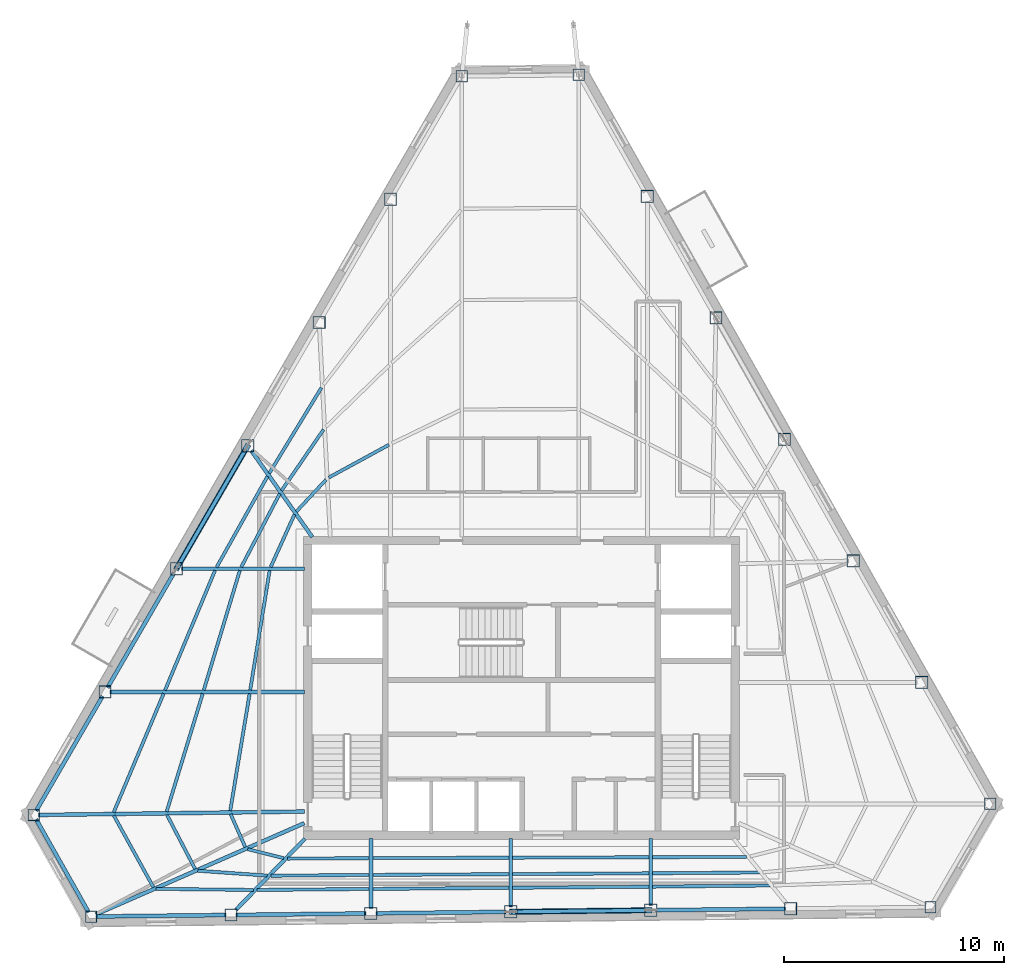
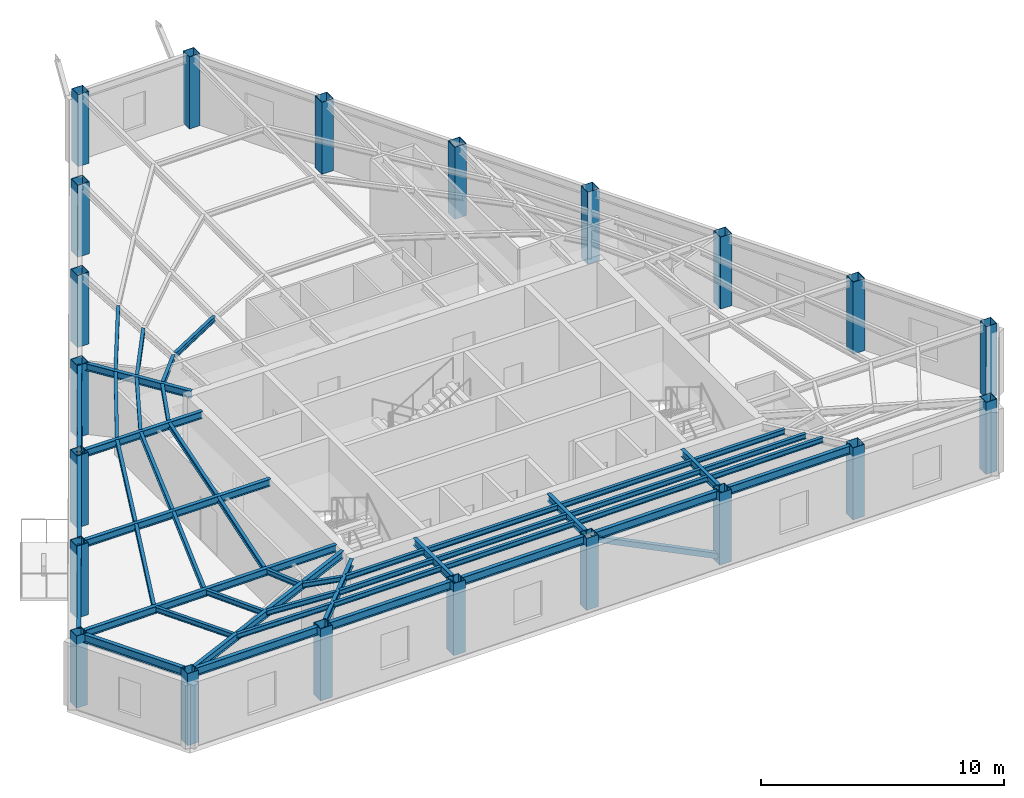
# One storey, part 1 of 10: 49 beams, 21 columns, 2 members.
"""IFC4 building model written with IfcOpenShell, lengths in metres."""

from ifc_helpers import new_model, si_unit, direction, frame, origin, origin_2d, place, context, subcontext, project, spatial, hollow_rectangle, i_section, extrude, material, material_profile, profile_set, type_object, element, save


model = new_model("IFC4")

# Units and contexts
model_context = context("Model", 3, precision=1e-05, world=origin(), true_north=direction((0.0, 1.0)))
body_context = subcontext(model_context, "Body", "Model", "MODEL_VIEW")
ifc_project = project(units=[si_unit("LENGTHUNIT", "METRE"), si_unit("AREAUNIT", "SQUARE_METRE"), si_unit("VOLUMEUNIT", "CUBIC_METRE"), si_unit("PLANEANGLEUNIT", "RADIAN"), si_unit("MASSUNIT", "GRAM", prefix="KILO")], contexts=[model_context])

# Site, building, storey
site_placement = place(None, origin())
site = spatial("IfcSite", under=ifc_project, at=site_placement, CompositionType="ELEMENT")
building_placement = place(site_placement, origin())
building = spatial("IfcBuilding", under=site, at=building_placement, Name="Kavelnor Concourse Tower", CompositionType="ELEMENT")
storey_placement = place(building_placement, frame((0.0, 0.0, 293.39990234375)))
storey = spatial("IfcBuildingStorey", under=building, at=storey_placement, Name="L74", CompositionType="ELEMENT", Elevation=293.39990234375)

# Columns
ifc_material = material(Name="Steel Grade 350", Category="steel")
ifc_material_profile_1 = material_profile(ifc_material, hollow_rectangle(XDim=0.52001953125, YDim=0.52001953125, WallThickness=0.02392578125, at=origin_2d()), Name="SHS 520x520x24")
ifc_profile_set_1 = profile_set([ifc_material_profile_1], Name="Steel Grade 350")
column_type_1 = type_object("IfcColumnType", Name="COL-FOLD-Z4", PredefinedType="COLUMN", material=ifc_profile_set_1)
for number, where, z_axis, x_axis, name in (
    (1, (35.2880859375, 43.867919921875, 0.0), (0.0, 0.0, 1.0), (1.0, 0.0, 0.0), "L74 Perimeter Corner-Fold Column F0-B0"),
    (2, (15.852294921875, 10.324951171875, 0.0), (0.0, 0.0, 1.0), (1.0, 0.0, 0.0), "L74 Perimeter Corner-Fold Column F0-B6"),
    (3, (18.4541015625, 5.71630859375, 0.0), (0.0, 0.0, 1.0), (1.0, 0.0, 0.0), "L74 Perimeter Corner-Fold Column F1-B0"),
    (4, (56.56640625, 6.143798828125, 0.0), (0.0, 0.0, 1.0), (1.0, 0.0, 0.0), "L74 Perimeter Corner-Fold Column F1-B6"),
    (5, (59.2822265625, 10.830810546875, 0.0), (0.0, 0.0, 1.0), (1.0, 0.0, 0.0), "L74 Perimeter Corner-Fold Column F2-B0"),
    (6, (40.597900390625, 43.927490234375, 0.0), (0.0, 0.0, 1.0), (1.0, 0.0, 0.0), "L74 Perimeter Corner-Fold Column F2-B6"),
):
    element("IfcColumn", number, at=place(storey_placement, frame(where, z_axis=z_axis, x_axis=x_axis)), inside=storey, type_object=column_type_1, Name=name, PredefinedType="COLUMN", context=body_context, shape_type="SweptSolid", body=[
        extrude(hollow_rectangle(XDim=0.52001953125, YDim=0.52001953125, WallThickness=0.02392578125, at=origin_2d()), origin(), (0.0, 0.0, 1.0), 3.610107421875),
    ])
ifc_material_profile_2 = material_profile(ifc_material, hollow_rectangle(XDim=0.56005859375, YDim=0.56005859375, WallThickness=0.02490234375, at=origin_2d()), Name="SHS 560x560x25")
ifc_profile_set_2 = profile_set([ifc_material_profile_2], Name="Steel Grade 350")
column_type_2 = type_object("IfcColumnType", Name="COL-TUBE-Z4", PredefinedType="COLUMN", material=ifc_profile_set_2)
for number, where, z_axis, x_axis, name in (
    (7, (32.048583984375, 38.277587890625, 0.0), (0.0, 0.0, 1.0), (1.0, 0.0, 0.0), "L74 Perimeter Framed-Tube Column F0-B1"),
    (8, (28.809326171875, 32.68701171875, 0.0), (0.0, 0.0, 1.0), (1.0, 0.0, 0.0), "L74 Perimeter Framed-Tube Column F0-B2"),
    (9, (25.570068359375, 27.096435546875, 0.0), (0.0, 0.0, 1.0), (1.0, 0.0, 0.0), "L74 Perimeter Framed-Tube Column F0-B3"),
    (10, (22.330810546875, 21.506103515625, 0.0), (0.0, 0.0, 1.0), (1.0, 0.0, 0.0), "L74 Perimeter Framed-Tube Column F0-B4"),
    (11, (19.091552734375, 15.91552734375, 0.0), (0.0, 0.0, 1.0), (1.0, 0.0, 0.0), "L74 Perimeter Framed-Tube Column F0-B5"),
    (12, (24.80615234375, 5.78759765625, 0.0), (0.0, 0.0, 1.0), (1.0, 0.0, 0.0), "L74 Perimeter Framed-Tube Column F1-B1"),
    (13, (31.158203125, 5.858642578125, 0.0), (0.0, 0.0, 1.0), (1.0, 0.0, 0.0), "L74 Perimeter Framed-Tube Column F1-B2"),
    (14, (37.51025390625, 5.929931640625, 0.0), (0.0, 0.0, 1.0), (1.0, 0.0, 0.0), "L74 Perimeter Framed-Tube Column F1-B3"),
    (15, (43.8623046875, 6.001220703125, 0.0), (0.0, 0.0, 1.0), (1.0, 0.0, 0.0), "L74 Perimeter Framed-Tube Column F1-B4"),
    (16, (50.21435546875, 6.072509765625, 0.0), (0.0, 0.0, 1.0), (1.0, 0.0, 0.0), "L74 Perimeter Framed-Tube Column F1-B5"),
    (17, (56.168212890625, 16.346923828125, 0.0), (0.0, 0.0, 1.0), (1.0, 0.0, 0.0), "L74 Perimeter Framed-Tube Column F2-B1"),
    (18, (53.05419921875, 21.863037109375, 0.0), (0.0, 0.0, 1.0), (1.0, 0.0, 0.0), "L74 Perimeter Framed-Tube Column F2-B2"),
    (19, (49.940185546875, 27.379150390625, 0.0), (0.0, 0.0, 1.0), (1.0, 0.0, 0.0), "L74 Perimeter Framed-Tube Column F2-B3"),
    (20, (46.826171875, 32.895263671875, 0.0), (0.0, 0.0, 1.0), (1.0, 0.0, 0.0), "L74 Perimeter Framed-Tube Column F2-B4"),
    (21, (43.7119140625, 38.411376953125, 0.0), (0.0, 0.0, 1.0), (1.0, 0.0, 0.0), "L74 Perimeter Framed-Tube Column F2-B5"),
):
    element("IfcColumn", number, at=place(storey_placement, frame(where, z_axis=z_axis, x_axis=x_axis)), inside=storey, type_object=column_type_2, Name=name, PredefinedType="COLUMN", context=body_context, shape_type="SweptSolid", body=[
        extrude(hollow_rectangle(XDim=0.56005859375, YDim=0.56005859375, WallThickness=0.02490234375, at=origin_2d()), origin(), (0.0, 0.0, 1.0), 3.610107421875),
    ])

# Beams
ifc_material_profile_3 = material_profile(ifc_material, i_section(OverallWidth=0.14599609375, OverallDepth=0.256103515625, WebThickness=0.00634765625, FlangeThickness=0.010986328125, at=origin_2d()), Name="250UB37")
ifc_profile_set_3 = profile_set([ifc_material_profile_3], Name="Steel Grade 350")
beam_type_1 = type_object("IfcBeamType", Name="BM-JOIST-250", PredefinedType="JOIST", material=ifc_profile_set_3)
beam_1_placement = place(storey_placement, frame((25.654541015625, 15.834716796875, 3.482177734375), z_axis=(-0.163413901202, -0.98655759938, 0.0), x_axis=(0.98655759938, -0.163413901202, 0.0)))
element("IfcBeam", 22, at=beam_1_placement, inside=storey, type_object=beam_type_1, Name="L74 Secondary Composite Joist 01-1", PredefinedType="JOIST", context=body_context, shape_type="SweptSolid", body=[
    extrude(i_section(OverallWidth=0.14599609375, OverallDepth=0.256103515625, WebThickness=0.00634765625, FlangeThickness=0.010986328125, at=origin_2d()), origin(), (0.0, 0.0, 1.0), 5.385986328125),
])
beam_2_placement = place(storey_placement, frame((23.525390625, 15.837158203125, 3.482177734375), z_axis=(-0.292207460299, -0.956354955101, 0.0), x_axis=(0.956354955101, -0.292207460299, 0.0)))
element("IfcBeam", 23, at=beam_2_placement, inside=storey, type_object=beam_type_1, Name="L74 Secondary Composite Joist 01-2", PredefinedType="JOIST", context=body_context, shape_type="SweptSolid", body=[
    extrude(i_section(OverallWidth=0.14599609375, OverallDepth=0.256103515625, WebThickness=0.00634765625, FlangeThickness=0.010986328125, at=origin_2d()), origin(), (0.0, 0.0, 1.0), 5.600341796875),
])
beam_3_placement = place(storey_placement, frame((21.751708984375, 15.83984375, 3.482177734375), z_axis=(-0.387751027396, -0.921764145947, 0.0), x_axis=(0.921764145947, -0.387751027396, 0.0)))
element("IfcBeam", 24, at=beam_3_placement, inside=storey, type_object=beam_type_1, Name="L74 Secondary Composite Joist 01-3", PredefinedType="JOIST", context=body_context, shape_type="SweptSolid", body=[
    extrude(i_section(OverallWidth=0.14599609375, OverallDepth=0.256103515625, WebThickness=0.00634765625, FlangeThickness=0.010986328125, at=origin_2d()), origin(), (0.0, 0.0, 1.0), 5.8505859375),
])
beam_4_placement = place(storey_placement, frame((24.794189453125, 10.365234375, 3.482177734375), z_axis=(0.404335372024, -0.914610795328, 0.0), x_axis=(0.914610795328, 0.404335372024, 0.0)))
element("IfcBeam", 25, at=beam_4_placement, inside=storey, type_object=beam_type_1, Name="L74 Secondary Composite Joist 02-1", PredefinedType="JOIST", context=body_context, shape_type="SweptSolid", body=[
    extrude(i_section(OverallWidth=0.14599609375, OverallDepth=0.256103515625, WebThickness=0.00634765625, FlangeThickness=0.010986328125, at=origin_2d()), origin(), (0.0, 0.0, 1.0), 1.6337890625),
])
beam_5_placement = place(storey_placement, frame((21.902587890625, 10.330078125, 3.482177734375), z_axis=(0.461516595623, -0.88713157534, 0.0), x_axis=(0.88713157534, 0.461516595623, 0.0)))
element("IfcBeam", 26, at=beam_5_placement, inside=storey, type_object=beam_type_1, Name="L74 Secondary Composite Joist 02-2", PredefinedType="JOIST", context=body_context, shape_type="SweptSolid", body=[
    extrude(i_section(OverallWidth=0.14599609375, OverallDepth=0.256103515625, WebThickness=0.00634765625, FlangeThickness=0.010986328125, at=origin_2d()), origin(), (0.0, 0.0, 1.0), 2.767822265625),
])
beam_6_placement = place(storey_placement, frame((19.490966796875, 10.2998046875, 3.482177734375), z_axis=(0.48305303241, -0.875591096277, 0.0), x_axis=(0.875591096277, 0.48305303241, 0.0)))
element("IfcBeam", 27, at=beam_6_placement, inside=storey, type_object=beam_type_1, Name="L74 Secondary Composite Joist 02-3", PredefinedType="JOIST", context=body_context, shape_type="SweptSolid", body=[
    extrude(i_section(OverallWidth=0.14599609375, OverallDepth=0.256103515625, WebThickness=0.00634765625, FlangeThickness=0.010986328125, at=origin_2d()), origin(), (0.0, 0.0, 1.0), 3.716796875),
])
beam_7_placement = place(storey_placement, frame((25.567626953125, 8.77587890625, 3.482177734375), z_axis=(0.96993838918, -0.243350613714, 0.0), x_axis=(0.243350613714, 0.96993838918, 0.0)))
element("IfcBeam", 28, at=beam_7_placement, inside=storey, type_object=beam_type_1, Name="L74 Secondary Composite Joist 03-1", PredefinedType="JOIST", context=body_context, shape_type="SweptSolid", body=[
    extrude(i_section(OverallWidth=0.14599609375, OverallDepth=0.256103515625, WebThickness=0.00634765625, FlangeThickness=0.010986328125, at=origin_2d()), origin(), (0.0, 0.0, 1.0), 1.69140625),
])
beam_8_placement = place(storey_placement, frame((23.2998046875, 7.796142578125, 3.482177734375), z_axis=(0.997549598443, -0.069962837606, 0.0), x_axis=(0.069962837606, 0.997549598443, 0.0)))
element("IfcBeam", 29, at=beam_8_placement, inside=storey, type_object=beam_type_1, Name="L74 Secondary Composite Joist 03-2", PredefinedType="JOIST", context=body_context, shape_type="SweptSolid", body=[
    extrude(i_section(OverallWidth=0.14599609375, OverallDepth=0.256103515625, WebThickness=0.00634765625, FlangeThickness=0.010986328125, at=origin_2d()), origin(), (0.0, 0.0, 1.0), 3.16162109375),
])
beam_9_placement = place(storey_placement, frame((21.407958984375, 6.97265625, 3.482177734375), z_axis=(0.99993955288, -0.010995025474, 0.0), x_axis=(0.010995025474, 0.99993955288, 0.0)))
element("IfcBeam", 30, at=beam_9_placement, inside=storey, type_object=beam_type_1, Name="L74 Secondary Composite Joist 03-3", PredefinedType="JOIST", context=body_context, shape_type="SweptSolid", body=[
    extrude(i_section(OverallWidth=0.14599609375, OverallDepth=0.256103515625, WebThickness=0.00634765625, FlangeThickness=0.010986328125, at=origin_2d()), origin(), (0.0, 0.0, 1.0), 4.418701171875),
])
beam_10_placement = place(storey_placement, frame((27.369873046875, 8.344970703125, 3.482177734375), z_axis=(0.999979587349, 0.006389435477, 0.0), x_axis=(-0.006389435477, 0.999979587349, 0.0)))
element("IfcBeam", 31, at=beam_10_placement, inside=storey, type_object=beam_type_1, Name="L74 Secondary Composite Joist 04-1", PredefinedType="JOIST", context=body_context, shape_type="SweptSolid", body=[
    extrude(i_section(OverallWidth=0.14599609375, OverallDepth=0.256103515625, WebThickness=0.00634765625, FlangeThickness=0.010986328125, at=origin_2d()), origin(), (0.0, 0.0, 1.0), 3.706298828125),
])
beam_11_placement = place(storey_placement, frame((26.617431640625, 7.56982421875, 3.482177734375), z_axis=(0.999968916458, 0.007884549306, 0.0), x_axis=(-0.007884549306, 0.999968916458, 0.0)))
element("IfcBeam", 32, at=beam_11_placement, inside=storey, type_object=beam_type_1, Name="L74 Secondary Composite Joist 04-2", PredefinedType="JOIST", context=body_context, shape_type="SweptSolid", body=[
    extrude(i_section(OverallWidth=0.14599609375, OverallDepth=0.256103515625, WebThickness=0.00634765625, FlangeThickness=0.010986328125, at=origin_2d()), origin(), (0.0, 0.0, 1.0), 4.458984375),
])
beam_12_placement = place(storey_placement, frame((25.990478515625, 6.923828125, 3.482177734375), z_axis=(0.999960991433, 0.008832644733, 0.0), x_axis=(-0.008832644733, 0.999960991433, 0.0)))
element("IfcBeam", 33, at=beam_12_placement, inside=storey, type_object=beam_type_1, Name="L74 Secondary Composite Joist 04-3", PredefinedType="JOIST", context=body_context, shape_type="SweptSolid", body=[
    extrude(i_section(OverallWidth=0.14599609375, OverallDepth=0.256103515625, WebThickness=0.00634765625, FlangeThickness=0.010986328125, at=origin_2d()), origin(), (0.0, 0.0, 1.0), 5.0859375),
])
for number, where, z_axis, x_axis, name in (
    (34, (31.240234375, 8.369384765625, 3.482177734375), (0.99999501887, 0.003156300857, 0.0), (-0.003156300857, 0.99999501887, 0.0), "L74 Secondary Composite Joist 05-1"),
    (35, (31.240234375, 7.606201171875, 3.482177734375), (0.999982952391, 0.005839086126, 0.0), (-0.005839086126, 0.999982952391, 0.0), "L74 Secondary Composite Joist 05-2"),
):
    element("IfcBeam", number, at=place(storey_placement, frame(where, z_axis=z_axis, x_axis=x_axis)), inside=storey, type_object=beam_type_1, Name=name, PredefinedType="JOIST", context=body_context, shape_type="SweptSolid", body=[
        extrude(i_section(OverallWidth=0.14599609375, OverallDepth=0.256103515625, WebThickness=0.00634765625, FlangeThickness=0.010986328125, at=origin_2d()), origin(), (0.0, 0.0, 1.0), 6.18798828125),
    ])
for number, where, z_axis, x_axis, name in (
    (36, (31.240234375, 6.97021484375, 3.482177734375), (0.999967611534, 0.008048346593, 0.0), (-0.008048346593, 0.999967611534, 0.0), "L74 Secondary Composite Joist 05-3"),
    (37, (37.59228515625, 8.389404296875, 3.482177734375), (0.999995019263, 0.003156176334, 0.0), (-0.003156176334, 0.999995019263, 0.0), "L74 Secondary Composite Joist 06-1"),
    (38, (37.59228515625, 7.643310546875, 3.482177734375), (0.999982953736, 0.005838855768, 0.0), (-0.005838855768, 0.999982953736, 0.0), "L74 Secondary Composite Joist 06-2"),
):
    element("IfcBeam", number, at=place(storey_placement, frame(where, z_axis=z_axis, x_axis=x_axis)), inside=storey, type_object=beam_type_1, Name=name, PredefinedType="JOIST", context=body_context, shape_type="SweptSolid", body=[
        extrude(i_section(OverallWidth=0.14599609375, OverallDepth=0.256103515625, WebThickness=0.00634765625, FlangeThickness=0.010986328125, at=origin_2d()), origin(), (0.0, 0.0, 1.0), 6.188232421875),
    ])
beam_13_placement = place(storey_placement, frame((37.59228515625, 7.021484375, 3.482177734375), z_axis=(0.999967295818, 0.008087477636, 0.0), x_axis=(-0.008087477636, 0.999967295818, 0.0)))
element("IfcBeam", 39, at=beam_13_placement, inside=storey, type_object=beam_type_1, Name="L74 Secondary Composite Joist 06-3", PredefinedType="JOIST", context=body_context, shape_type="SweptSolid", body=[
    extrude(i_section(OverallWidth=0.14599609375, OverallDepth=0.256103515625, WebThickness=0.00634765625, FlangeThickness=0.010986328125, at=origin_2d()), origin(), (0.0, 0.0, 1.0), 6.1884765625),
])
beam_14_placement = place(storey_placement, frame((43.9443359375, 8.409423828125, 3.482177734375), z_axis=(0.999993537062, 0.003595251546, 0.0), x_axis=(-0.003595251546, 0.999993537062, 0.0)))
element("IfcBeam", 40, at=beam_14_placement, inside=storey, type_object=beam_type_1, Name="L74 Secondary Composite Joist 07-1", PredefinedType="JOIST", context=body_context, shape_type="SweptSolid", body=[
    extrude(i_section(OverallWidth=0.14599609375, OverallDepth=0.256103515625, WebThickness=0.00634765625, FlangeThickness=0.010986328125, at=origin_2d()), origin(), (0.0, 0.0, 1.0), 4.278076171875),
])
beam_15_placement = place(storey_placement, frame((43.9443359375, 7.680419921875, 3.482177734375), z_axis=(0.999972281246, 0.00744558523, 0.0), x_axis=(-0.00744558523, 0.999972281246, 0.0)))
element("IfcBeam", 41, at=beam_15_placement, inside=storey, type_object=beam_type_1, Name="L74 Secondary Composite Joist 07-2", PredefinedType="JOIST", context=body_context, shape_type="SweptSolid", body=[
    extrude(i_section(OverallWidth=0.14599609375, OverallDepth=0.256103515625, WebThickness=0.00634765625, FlangeThickness=0.010986328125, at=origin_2d()), origin(), (0.0, 0.0, 1.0), 4.85302734375),
])
beam_16_placement = place(storey_placement, frame((43.9443359375, 7.072998046875, 3.482177734375), z_axis=(0.999949719481, 0.010027886646, 0.0), x_axis=(-0.010027886646, 0.999949719481, 0.0)))
element("IfcBeam", 42, at=beam_16_placement, inside=storey, type_object=beam_type_1, Name="L74 Secondary Composite Joist 07-3", PredefinedType="JOIST", context=body_context, shape_type="SweptSolid", body=[
    extrude(i_section(OverallWidth=0.14599609375, OverallDepth=0.256103515625, WebThickness=0.00634765625, FlangeThickness=0.010986328125, at=origin_2d()), origin(), (0.0, 0.0, 1.0), 5.331787109375),
])
beam_17_placement = place(storey_placement, frame((31.976806640625, 27.1337890625, 3.482177734375), z_axis=(-0.878006666491, -0.478648402899, 0.0), x_axis=(0.478648402899, -0.878006666491, 0.0)))
element("IfcBeam", 43, at=beam_17_placement, inside=storey, type_object=beam_type_1, Name="L74 Secondary Composite Joist 18-1", PredefinedType="JOIST", context=body_context, shape_type="SweptSolid", body=[
    extrude(i_section(OverallWidth=0.14599609375, OverallDepth=0.256103515625, WebThickness=0.00634765625, FlangeThickness=0.010986328125, at=origin_2d()), origin(), (0.0, 0.0, 1.0), 3.106689453125),
])
beam_18_placement = place(storey_placement, frame((29.12109375, 25.547607421875, 3.482177734375), z_axis=(-0.680978738314, -0.732303187187, 0.0), x_axis=(0.732303187187, -0.680978738314, 0.0)))
element("IfcBeam", 44, at=beam_18_placement, inside=storey, type_object=beam_type_1, Name="L74 Secondary Composite Joist 19-1", PredefinedType="JOIST", context=body_context, shape_type="SweptSolid", body=[
    extrude(i_section(OverallWidth=0.14599609375, OverallDepth=0.256103515625, WebThickness=0.00634765625, FlangeThickness=0.010986328125, at=origin_2d()), origin(), (0.0, 0.0, 1.0), 1.96923828125),
])
beam_19_placement = place(storey_placement, frame((29.011962890625, 27.826416015625, 3.482177734375), z_axis=(-0.566501102558, -0.824060981239, 0.0), x_axis=(0.824060981239, -0.566501102558, 0.0)))
element("IfcBeam", 45, at=beam_19_placement, inside=storey, type_object=beam_type_1, Name="L74 Secondary Composite Joist 19-2", PredefinedType="JOIST", context=body_context, shape_type="SweptSolid", body=[
    extrude(i_section(OverallWidth=0.14599609375, OverallDepth=0.256103515625, WebThickness=0.00634765625, FlangeThickness=0.010986328125, at=origin_2d()), origin(), (0.0, 0.0, 1.0), 3.364013671875),
])
beam_20_placement = place(storey_placement, frame((28.916748046875, 29.7294921875, 3.482177734375), z_axis=(-0.520154475588, -0.854072199246, 0.0), x_axis=(0.854072199246, -0.520154475588, 0.0)))
element("IfcBeam", 46, at=beam_20_placement, inside=storey, type_object=beam_type_1, Name="L74 Secondary Composite Joist 19-3", PredefinedType="JOIST", context=body_context, shape_type="SweptSolid", body=[
    extrude(i_section(OverallWidth=0.14599609375, OverallDepth=0.256103515625, WebThickness=0.00634765625, FlangeThickness=0.010986328125, at=origin_2d()), origin(), (0.0, 0.0, 1.0), 4.552734375),
])
beam_21_placement = place(storey_placement, frame((27.690185546875, 23.970703125, 3.482177734375), z_axis=(-0.412217537041, -0.911085452719, 0.0), x_axis=(0.911085452719, -0.412217537041, 0.0)))
element("IfcBeam", 47, at=beam_21_placement, inside=storey, type_object=beam_type_1, Name="L74 Secondary Composite Joist 20-1", PredefinedType="JOIST", context=body_context, shape_type="SweptSolid", body=[
    extrude(i_section(OverallWidth=0.14599609375, OverallDepth=0.256103515625, WebThickness=0.00634765625, FlangeThickness=0.010986328125, at=origin_2d()), origin(), (0.0, 0.0, 1.0), 2.623046875),
])
beam_22_placement = place(storey_placement, frame((27.021484375, 24.9140625, 3.482177734375), z_axis=(-0.464551863947, -0.885545913944, 0.0), x_axis=(0.885545913944, -0.464551863947, 0.0)))
element("IfcBeam", 48, at=beam_22_placement, inside=storey, type_object=beam_type_1, Name="L74 Secondary Composite Joist 20-2", PredefinedType="JOIST", context=body_context, shape_type="SweptSolid", body=[
    extrude(i_section(OverallWidth=0.14599609375, OverallDepth=0.256103515625, WebThickness=0.00634765625, FlangeThickness=0.010986328125, at=origin_2d()), origin(), (0.0, 0.0, 1.0), 3.7666015625),
])
beam_23_placement = place(storey_placement, frame((26.4658203125, 25.699462890625, 3.482177734375), z_axis=(-0.488837780029, -0.872374704365, 0.0), x_axis=(0.872374704365, -0.488837780029, 0.0)))
element("IfcBeam", 49, at=beam_23_placement, inside=storey, type_object=beam_type_1, Name="L74 Secondary Composite Joist 20-3", PredefinedType="JOIST", context=body_context, shape_type="SweptSolid", body=[
    extrude(i_section(OverallWidth=0.14599609375, OverallDepth=0.256103515625, WebThickness=0.00634765625, FlangeThickness=0.010986328125, at=origin_2d()), origin(), (0.0, 0.0, 1.0), 4.72509765625),
])
beam_24_placement = place(storey_placement, frame((26.56201171875, 21.425048828125, 3.482177734375), z_axis=(-0.160164680228, -0.987090307524, 0.0), x_axis=(0.987090307524, -0.160164680228, 0.0)))
element("IfcBeam", 50, at=beam_24_placement, inside=storey, type_object=beam_type_1, Name="L74 Secondary Composite Joist 21-1", PredefinedType="JOIST", context=body_context, shape_type="SweptSolid", body=[
    extrude(i_section(OverallWidth=0.14599609375, OverallDepth=0.256103515625, WebThickness=0.00634765625, FlangeThickness=0.010986328125, at=origin_2d()), origin(), (0.0, 0.0, 1.0), 5.499755859375),
])
beam_25_placement = place(storey_placement, frame((25.2099609375, 21.427490234375, 3.482177734375), z_axis=(-0.28846073093, -0.957491726707, 0.0), x_axis=(0.957491726707, -0.28846073093, 0.0)))
element("IfcBeam", 51, at=beam_25_placement, inside=storey, type_object=beam_type_1, Name="L74 Secondary Composite Joist 21-2", PredefinedType="JOIST", context=body_context, shape_type="SweptSolid", body=[
    extrude(i_section(OverallWidth=0.14599609375, OverallDepth=0.256103515625, WebThickness=0.00634765625, FlangeThickness=0.010986328125, at=origin_2d()), origin(), (0.0, 0.0, 1.0), 5.6748046875),
])
beam_26_placement = place(storey_placement, frame((24.084228515625, 21.430419921875, 3.482177734375), z_axis=(-0.385006561603, -0.922913835373, 0.0), x_axis=(0.922913835373, -0.385006561603, 0.0)))
element("IfcBeam", 52, at=beam_26_placement, inside=storey, type_object=beam_type_1, Name="L74 Secondary Composite Joist 21-3", PredefinedType="JOIST", context=body_context, shape_type="SweptSolid", body=[
    extrude(i_section(OverallWidth=0.14599609375, OverallDepth=0.256103515625, WebThickness=0.00634765625, FlangeThickness=0.010986328125, at=origin_2d()), origin(), (0.0, 0.0, 1.0), 5.8935546875),
])
ifc_material_profile_4 = material_profile(ifc_material, i_section(OverallWidth=0.172119140625, OverallDepth=0.35888671875, WebThickness=0.008056640625, FlangeThickness=0.012939453125, at=origin_2d()), Name="360UB56")
ifc_profile_set_4 = profile_set([ifc_material_profile_4], Name="Steel Grade 350")
beam_type_2 = type_object("IfcBeamType", Name="BM-PRIMARY-360", PredefinedType="BEAM", material=ifc_profile_set_4)
beam_27_placement = place(storey_placement, frame((28.49951171875, 22.947265625, 3.4306640625), z_axis=(-0.576741097485, 0.816926989683, 0.0), x_axis=(-0.816926989683, -0.576741097485, 0.0)))
element("IfcBeam", 53, at=beam_27_placement, inside=storey, type_object=beam_type_2, Name="L74 Primary Floor Girder F0-B3", PredefinedType="BEAM", context=body_context, shape_type="SweptSolid", body=[
    extrude(i_section(OverallWidth=0.172119140625, OverallDepth=0.35888671875, WebThickness=0.008056640625, FlangeThickness=0.012939453125, at=origin_2d()), origin(), (0.0, 0.0, 1.0), 4.80078125),
])
beam_28_placement = place(storey_placement, frame((28.139892578125, 21.506103515625, 3.4306640625), z_axis=(-1.0, 0.0, 0.0), x_axis=(0.0, -1.0, 0.0)))
element("IfcBeam", 54, at=beam_28_placement, inside=storey, type_object=beam_type_2, Name="L74 Primary Floor Girder F0-B4", PredefinedType="BEAM", context=body_context, shape_type="SweptSolid", body=[
    extrude(i_section(OverallWidth=0.172119140625, OverallDepth=0.35888671875, WebThickness=0.008056640625, FlangeThickness=0.012939453125, at=origin_2d()), origin(), (0.0, 0.0, 1.0), 5.589111328125),
])
beam_29_placement = place(storey_placement, frame((28.139892578125, 15.91552734375, 3.4306640625), z_axis=(-1.0, 0.0, 0.0), x_axis=(0.0, -1.0, 0.0)))
element("IfcBeam", 55, at=beam_29_placement, inside=storey, type_object=beam_type_2, Name="L74 Primary Floor Girder F0-B5", PredefinedType="BEAM", context=body_context, shape_type="SweptSolid", body=[
    extrude(i_section(OverallWidth=0.172119140625, OverallDepth=0.35888671875, WebThickness=0.008056640625, FlangeThickness=0.012939453125, at=origin_2d()), origin(), (0.0, 0.0, 1.0), 8.828369140625),
])
beam_30_placement = place(storey_placement, frame((28.139892578125, 10.48388671875, 3.4306640625), z_axis=(-0.999916448617, -0.012926553454, 0.0), x_axis=(0.012926553454, -0.999916448617, 0.0)))
element("IfcBeam", 56, at=beam_30_placement, inside=storey, type_object=beam_type_2, Name="L74 Primary Floor Girder F0-B6", PredefinedType="BEAM", context=body_context, shape_type="SweptSolid", body=[
    extrude(i_section(OverallWidth=0.172119140625, OverallDepth=0.35888671875, WebThickness=0.008056640625, FlangeThickness=0.012939453125, at=origin_2d()), origin(), (0.0, 0.0, 1.0), 12.068603515625),
])
beam_31_placement = place(storey_placement, frame((28.13671875, 9.95556640625, 3.4306640625), z_axis=(-0.916043889861, -0.401078037104, 0.0), x_axis=(0.401078037104, -0.916043889861, 0.0)))
element("IfcBeam", 57, at=beam_31_placement, inside=storey, type_object=beam_type_2, Name="L74 Primary Floor Girder F1-B0", PredefinedType="BEAM", context=body_context, shape_type="SweptSolid", body=[
    extrude(i_section(OverallWidth=0.172119140625, OverallDepth=0.35888671875, WebThickness=0.008056640625, FlangeThickness=0.012939453125, at=origin_2d()), origin(), (0.0, 0.0, 1.0), 10.326171875),
])
beam_32_placement = place(storey_placement, frame((28.16552734375, 9.248779296875, 3.4306640625), z_axis=(-0.696450732871, -0.717604610272, 0.0), x_axis=(0.717604610272, -0.696450732871, 0.0)))
element("IfcBeam", 58, at=beam_32_placement, inside=storey, type_object=beam_type_2, Name="L74 Primary Floor Girder F1-B1", PredefinedType="BEAM", context=body_context, shape_type="SweptSolid", body=[
    extrude(i_section(OverallWidth=0.172119140625, OverallDepth=0.35888671875, WebThickness=0.008056640625, FlangeThickness=0.012939453125, at=origin_2d()), origin(), (0.0, 0.0, 1.0), 4.5009765625),
])
beam_33_placement = place(storey_placement, frame((31.158203125, 9.260009765625, 3.4306640625), z_axis=(0.0, -1.0, 0.0), x_axis=(1.0, 0.0, 0.0)))
element("IfcBeam", 59, at=beam_33_placement, inside=storey, type_object=beam_type_2, Name="L74 Primary Floor Girder F1-B2", PredefinedType="BEAM", context=body_context, shape_type="SweptSolid", body=[
    extrude(i_section(OverallWidth=0.172119140625, OverallDepth=0.35888671875, WebThickness=0.008056640625, FlangeThickness=0.012939453125, at=origin_2d()), origin(), (0.0, 0.0, 1.0), 3.181396484375),
])
beam_34_placement = place(storey_placement, frame((37.51025390625, 9.260009765625, 3.4306640625), z_axis=(0.0, -1.0, 0.0), x_axis=(1.0, 0.0, 0.0)))
element("IfcBeam", 60, at=beam_34_placement, inside=storey, type_object=beam_type_2, Name="L74 Primary Floor Girder F1-B3", PredefinedType="BEAM", context=body_context, shape_type="SweptSolid", body=[
    extrude(i_section(OverallWidth=0.172119140625, OverallDepth=0.35888671875, WebThickness=0.008056640625, FlangeThickness=0.012939453125, at=origin_2d()), origin(), (0.0, 0.0, 1.0), 3.110107421875),
])
beam_35_placement = place(storey_placement, frame((43.8623046875, 9.260009765625, 3.4306640625), z_axis=(0.0, -1.0, 0.0), x_axis=(1.0, 0.0, 0.0)))
element("IfcBeam", 61, at=beam_35_placement, inside=storey, type_object=beam_type_2, Name="L74 Primary Floor Girder F1-B4", PredefinedType="BEAM", context=body_context, shape_type="SweptSolid", body=[
    extrude(i_section(OverallWidth=0.172119140625, OverallDepth=0.35888671875, WebThickness=0.008056640625, FlangeThickness=0.012939453125, at=origin_2d()), origin(), (0.0, 0.0, 1.0), 3.038818359375),
])
ifc_material_profile_5 = material_profile(ifc_material, i_section(OverallWidth=0.177978515625, OverallDepth=0.406005859375, WebThickness=0.0078125, FlangeThickness=0.0126953125, at=origin_2d()), Name="410UB59")
ifc_profile_set_5 = profile_set([ifc_material_profile_5], Name="Steel Grade 350")
beam_type_3 = type_object("IfcBeamType", Name="BM-SPANDREL-Z4", PredefinedType="SPANDREL", material=ifc_profile_set_5)
for number, where, z_axis, x_axis, name in (
    (62, (25.457275390625, 26.90185546875, 3.406982421875), (-0.501343627268, -0.865248269225, 0.0), (0.865248269225, -0.501343627268, 0.0), "L74 Perimeter Tube Spandrel Beam F0-B3"),
    (63, (22.218017578125, 21.311279296875, 3.406982421875), (-0.501343627268, -0.865248269225, 0.0), (0.865248269225, -0.501343627268, 0.0), "L74 Perimeter Tube Spandrel Beam F0-B4"),
):
    element("IfcBeam", number, at=place(storey_placement, frame(where, z_axis=z_axis, x_axis=x_axis)), inside=storey, type_object=beam_type_3, Name=name, PredefinedType="SPANDREL", context=body_context, shape_type="SweptSolid", body=[
        extrude(i_section(OverallWidth=0.177978515625, OverallDepth=0.406005859375, WebThickness=0.0078125, FlangeThickness=0.0126953125, at=origin_2d()), origin(), (0.0, 0.0, 1.0), 6.01123046875),
    ])
beam_36_placement = place(storey_placement, frame((18.978759765625, 15.720703125, 3.406982421875), z_axis=(-0.501361245752, -0.865238060454, 0.0), x_axis=(0.865238060454, -0.501361245752, 0.0)))
element("IfcBeam", 64, at=beam_36_placement, inside=storey, type_object=beam_type_3, Name="L74 Perimeter Tube Spandrel Beam F0-B5", PredefinedType="SPANDREL", context=body_context, shape_type="SweptSolid", body=[
    extrude(i_section(OverallWidth=0.177978515625, OverallDepth=0.406005859375, WebThickness=0.0078125, FlangeThickness=0.0126953125, at=origin_2d()), origin(), (0.0, 0.0, 1.0), 6.010986328125),
])
beam_37_placement = place(storey_placement, frame((18.67919921875, 5.71875, 3.406982421875), z_axis=(0.999937174683, 0.011209223344, 0.0), x_axis=(-0.011209223344, 0.999937174683, 0.0)))
element("IfcBeam", 65, at=beam_37_placement, inside=storey, type_object=beam_type_3, Name="L74 Perimeter Tube Spandrel Beam F1-B0", PredefinedType="SPANDREL", context=body_context, shape_type="SweptSolid", body=[
    extrude(i_section(OverallWidth=0.177978515625, OverallDepth=0.406005859375, WebThickness=0.0078125, FlangeThickness=0.0126953125, at=origin_2d()), origin(), (0.0, 0.0, 1.0), 5.902587890625),
])
beam_38_placement = place(storey_placement, frame((25.03125, 5.7900390625, 3.406982421875), z_axis=(0.999937169485, 0.011209686975, 0.0), x_axis=(-0.011209686975, 0.999937169485, 0.0)))
element("IfcBeam", 66, at=beam_38_placement, inside=storey, type_object=beam_type_3, Name="L74 Perimeter Tube Spandrel Beam F1-B1", PredefinedType="SPANDREL", context=body_context, shape_type="SweptSolid", body=[
    extrude(i_section(OverallWidth=0.177978515625, OverallDepth=0.406005859375, WebThickness=0.0078125, FlangeThickness=0.0126953125, at=origin_2d()), origin(), (0.0, 0.0, 1.0), 5.90234375),
])
for number, where, z_axis, x_axis, name in (
    (67, (31.38330078125, 5.861083984375, 3.406982421875), (0.999936710216, 0.011250580566, 0.0), (-0.011250580566, 0.999936710216, 0.0), "L74 Perimeter Tube Spandrel Beam F1-B2"),
    (68, (37.7353515625, 5.9326171875, 3.406982421875), (0.999937174683, 0.011209223344, 0.0), (-0.011209223344, 0.999937174683, 0.0), "L74 Perimeter Tube Spandrel Beam F1-B3"),
    (69, (44.08740234375, 6.00390625, 3.406982421875), (0.999937174683, 0.011209223344, 0.0), (-0.011209223344, 0.999937174683, 0.0), "L74 Perimeter Tube Spandrel Beam F1-B4"),
):
    element("IfcBeam", number, at=place(storey_placement, frame(where, z_axis=z_axis, x_axis=x_axis)), inside=storey, type_object=beam_type_3, Name=name, PredefinedType="SPANDREL", context=body_context, shape_type="SweptSolid", body=[
        extrude(i_section(OverallWidth=0.177978515625, OverallDepth=0.406005859375, WebThickness=0.0078125, FlangeThickness=0.0126953125, at=origin_2d()), origin(), (0.0, 0.0, 1.0), 5.902587890625),
    ])
beam_39_placement = place(storey_placement, frame((15.962890625, 10.129150390625, 3.406982421875), z_axis=(0.491598684505, -0.870821872367, 0.0), x_axis=(0.870821872367, 0.491598684505, 0.0)))
element("IfcBeam", 70, at=beam_39_placement, inside=storey, type_object=beam_type_3, Name="L74 Chamfer Facet Spandrel Beam C1", PredefinedType="SPANDREL", context=body_context, shape_type="SweptSolid", body=[
    extrude(i_section(OverallWidth=0.177978515625, OverallDepth=0.406005859375, WebThickness=0.0078125, FlangeThickness=0.0126953125, at=origin_2d()), origin(), (0.0, 0.0, 1.0), 4.842529296875),
])

# Members
ifc_material_profile_6 = material_profile(ifc_material, hollow_rectangle(XDim=0.25, YDim=0.25, WallThickness=0.01611328125, at=origin_2d()), Name="SHS 250x250x16")
ifc_profile_set_6 = profile_set([ifc_material_profile_6], Name="Steel Grade 350")
member_type = type_object("IfcMemberType", Name="MBR-TUBE-DIAG-Z4", PredefinedType="BRACE", material=ifc_profile_set_6)
member_1_placement = place(storey_placement, frame((25.570068359375, 27.096435546875, 0.22021484375), z_axis=(-0.449636393019, -0.775985387953, 0.442350304347), x_axis=(0.865241683045, -0.501354993914, 0.0)))
element("IfcMember", 71, at=member_1_placement, inside=storey, type_object=member_type, Name="L74 Framed-Tube Bracing Diagonal F0-B3", PredefinedType="BRACE", context=body_context, shape_type="SweptSolid", body=[
    extrude(hollow_rectangle(XDim=0.25, YDim=0.25, WallThickness=0.01611328125, at=origin_2d()), origin(), (0.0, 0.0, 1.0), 7.2041015625),
])
member_2_placement = place(storey_placement, frame((43.8623046875, 6.001220703125, 0.22021484375), z_axis=(-0.893776775125, -0.010030856266, 0.448399886452), x_axis=(0.011222292728, -0.99993702809, 0.0)))
element("IfcMember", 72, at=member_2_placement, inside=storey, type_object=member_type, Name="L74 Framed-Tube Bracing Diagonal F1-B3", PredefinedType="BRACE", context=body_context, shape_type="SweptSolid", body=[
    extrude(hollow_rectangle(XDim=0.25, YDim=0.25, WallThickness=0.01611328125, at=origin_2d()), origin(), (0.0, 0.0, 1.0), 7.10693359375),
])

save(model, "model.ifc")
